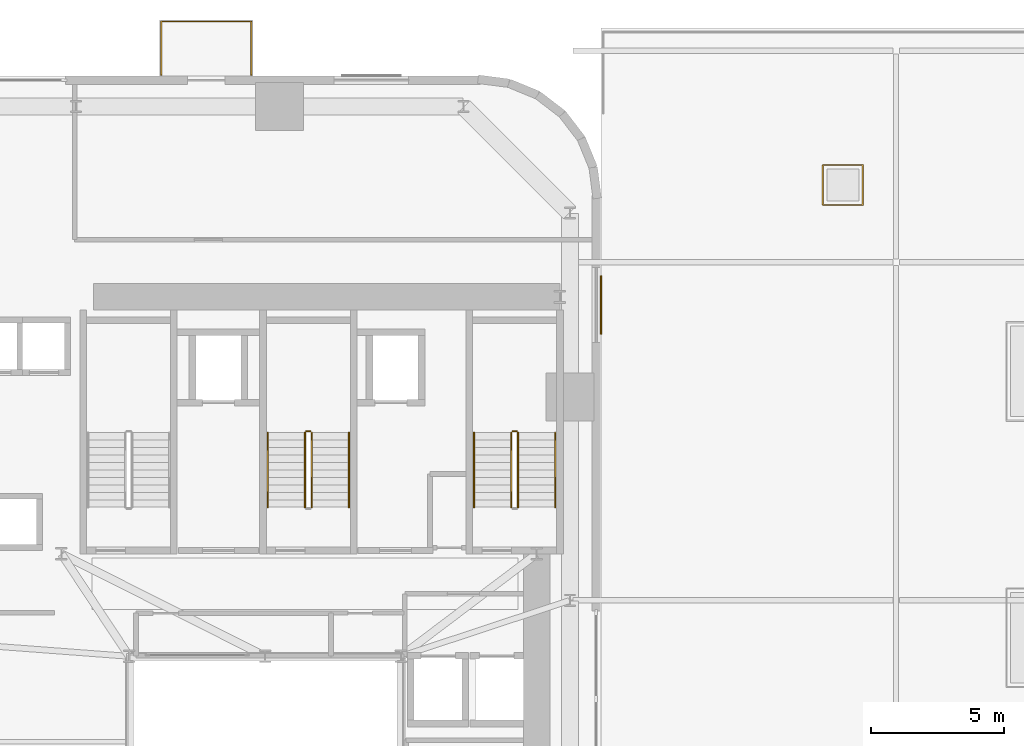
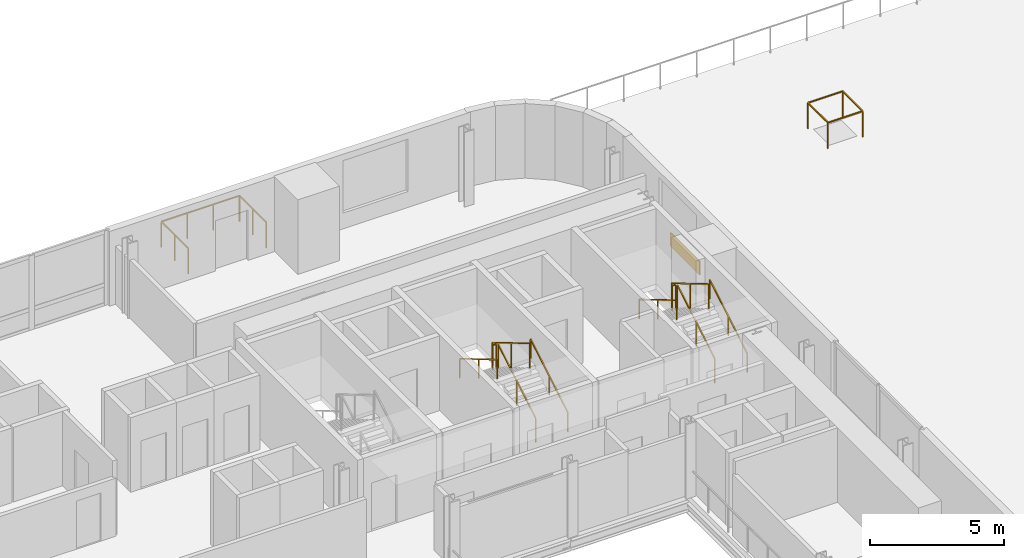
# One storey, part 17 of 18: 12 railings, 1 covering.
"""IFC4 building model written with IfcOpenShell, lengths in metres."""

from ifc_helpers import new_model, si_unit, direction, frame, origin, origin_2d, place, context, subcontext, project, spatial, rectangle, extrude, source, transform, mapped, material, layer, layer_set, type_object, element, save


model = new_model("IFC4")

# Units and contexts
model_context = context("Model", 3, precision=1e-05, world=origin(), true_north=direction((0.0, 1.0)))
body_context = subcontext(model_context, "Body", "Model", "MODEL_VIEW")
ifc_project = project(units=[si_unit("LENGTHUNIT", "METRE"), si_unit("AREAUNIT", "SQUARE_METRE"), si_unit("VOLUMEUNIT", "CUBIC_METRE"), si_unit("PLANEANGLEUNIT", "RADIAN"), si_unit("MASSUNIT", "GRAM", prefix="KILO")], contexts=[model_context])

# Site, building, storey
site_placement = place(None, origin())
site = spatial("IfcSite", under=ifc_project, at=site_placement, CompositionType="ELEMENT")
building_placement = place(site_placement, origin())
building = spatial("IfcBuilding", under=site, at=building_placement, Name="Vardaveli Station Tower", CompositionType="ELEMENT")
storey_placement = place(building_placement, frame((0.0, 0.0, 27.60009765625)))
storey = spatial("IfcBuildingStorey", under=building, at=storey_placement, Name="L06", CompositionType="ELEMENT", Elevation=27.60009765625)

# Railing
ifc_material_1 = material(Name="Laminated glass and stainless steel balustrade", Category="steel")
railing_type_1 = type_object("IfcRailingType", Name="RL-BAL-1200", PredefinedType="BALUSTRADE", material=ifc_material_1)
shared_shape_1 = source(origin(), body_context, "Body", "SweptSolid", [
    extrude(rectangle(XDim=0.048095703125, YDim=0.048095703125, at=origin_2d()), frame((0.0, 0.0, 1.17578125), z_axis=(1.0, 0.0, 0.0), x_axis=(0.0, 1.0, 0.0)), (0.0, 0.0, 1.0), 1.5),
    extrude(rectangle(XDim=0.048095703125, YDim=0.048095703125, at=origin_2d()), frame((1.5, 0.0, 1.17578125), z_axis=(0.0, 1.0, 0.0), x_axis=(-1.0, 0.0, 0.0)), (0.0, 0.0, 1.0), 1.5),
    extrude(rectangle(XDim=0.048095703125, YDim=0.048095703125, at=origin_2d()), frame((1.5, 1.5, 1.17578125), z_axis=(-1.0, 0.0, 0.0), x_axis=(0.0, -1.0, 0.0)), (0.0, 0.0, 1.0), 1.5),
    extrude(rectangle(XDim=0.048095703125, YDim=0.048095703125, at=origin_2d()), frame((0.0, 1.5, 1.17578125), z_axis=(0.0, -1.0, 0.0), x_axis=(1.0, 0.0, 0.0)), (0.0, 0.0, 1.0), 1.5),
    extrude(rectangle(XDim=0.0419921875, YDim=0.0419921875, at=origin_2d()), origin(), (0.0, 0.0, 1.0), 1.15185546875),
    extrude(rectangle(XDim=0.0419921875, YDim=0.0419921875, at=origin_2d()), frame((1.5, 0.0, 0.0)), (0.0, 0.0, 1.0), 1.15185546875),
    extrude(rectangle(XDim=0.0419921875, YDim=0.0419921875, at=origin_2d()), frame((1.5, 1.5, 0.0)), (0.0, 0.0, 1.0), 1.15185546875),
    extrude(rectangle(XDim=0.0419921875, YDim=0.0419921875, at=origin_2d()), frame((0.0, 1.5, 0.0)), (0.0, 0.0, 1.0), 1.15185546875),
])
railing_1_placement = place(storey_placement, frame((57.25, 43.75, 0.0)))
element("IfcRailing", 1, at=railing_1_placement, inside=storey, type_object=railing_type_1, Name="RL-RHTPOD-02", PredefinedType="BALUSTRADE", context=body_context, shape_type="MappedRepresentation", body=[
    mapped(shared_shape_1, transform((0.0, 0.0, 0.0), scale=1.0)),
])

# Covering
ifc_material_2 = material(Name="Ventilated honed travertine stone cladding", Category="masonry")
ifc_layer = layer(ifc_material_2, 0.044921875, Name="Ventilated honed travertine stone cladding")
ifc_layer_set = layer_set([ifc_layer], Name="Ventilated honed travertine stone cladding")
covering_type = type_object("IfcCoveringType", Name="COV-CLAD-TR45", PredefinedType="CLADDING", material=ifc_layer_set)
shared_shape_2 = source(origin(), body_context, "Body", "SweptSolid", [
    extrude(rectangle(XDim=2.199951171875, YDim=0.044921875, at=origin_2d()), origin(), (0.0, 0.0, 1.0), 0.6201171875),
])
covering_placement = place(storey_placement, frame((48.91455078125, 39.9951171875, 0.06982421875), z_axis=(0.0, 0.0, 1.0), x_axis=(0.0, 1.0, 0.0)))
element("IfcCovering", 2, at=covering_placement, inside=storey, type_object=covering_type, Name="CLD-TR-L06-E", PredefinedType="CLADDING", context=body_context, shape_type="MappedRepresentation", body=[
    mapped(shared_shape_2, transform((0.0, 0.0, 0.0), scale=1.0)),
])

# Railings
shared_shape_3 = source(origin(), body_context, "Body", "SweptSolid", [
    extrude(rectangle(XDim=0.048095703125, YDim=0.048095703125, at=origin_2d()), frame((0.0, 0.0, 1.17578125), z_axis=(0.0, 1.0, 0.0), x_axis=(-1.0, 0.0, 0.0)), (0.0, 0.0, 1.0), 2.0),
    extrude(rectangle(XDim=0.048095703125, YDim=0.048095703125, at=origin_2d()), frame((0.0, 2.0, 1.17578125), z_axis=(1.0, 0.0, 0.0), x_axis=(0.0, 1.0, 0.0)), (0.0, 0.0, 1.0), 3.3798828125),
    extrude(rectangle(XDim=0.048095703125, YDim=0.048095703125, at=origin_2d()), frame((3.3798828125, 2.0, 1.17578125), z_axis=(0.0, -1.0, 0.0), x_axis=(1.0, 0.0, 0.0)), (0.0, 0.0, 1.0), 2.0),
    extrude(rectangle(XDim=0.0419921875, YDim=0.0419921875, at=origin_2d()), origin(), (0.0, 0.0, 1.0), 1.15185546875),
    extrude(rectangle(XDim=0.0419921875, YDim=0.0419921875, at=origin_2d()), frame((0.0, 1.0, 0.0)), (0.0, 0.0, 1.0), 1.15185546875),
    extrude(rectangle(XDim=0.0419921875, YDim=0.0419921875, at=origin_2d()), frame((0.0, 2.0, 0.0)), (0.0, 0.0, 1.0), 1.15185546875),
    extrude(rectangle(XDim=0.0419921875, YDim=0.0419921875, at=origin_2d()), frame((1.126708984375, 2.0, 0.0)), (0.0, 0.0, 1.0), 1.15185546875),
    extrude(rectangle(XDim=0.0419921875, YDim=0.0419921875, at=origin_2d()), frame((2.253173828125, 2.0, 0.0)), (0.0, 0.0, 1.0), 1.15185546875),
    extrude(rectangle(XDim=0.0419921875, YDim=0.0419921875, at=origin_2d()), frame((3.3798828125, 2.0, 0.0)), (0.0, 0.0, 1.0), 1.15185546875),
    extrude(rectangle(XDim=0.0419921875, YDim=0.0419921875, at=origin_2d()), frame((3.3798828125, 1.0, 0.0)), (0.0, 0.0, 1.0), 1.15185546875),
    extrude(rectangle(XDim=0.0419921875, YDim=0.0419921875, at=origin_2d()), frame((3.3798828125, 0.0, 0.0)), (0.0, 0.0, 1.0), 1.15185546875),
])
railing_2_placement = place(storey_placement, frame((32.399658203125, 48.639892578125, 0.0)))
element("IfcRailing", 3, at=railing_2_placement, inside=storey, type_object=railing_type_1, Name="RL-LOG-L06-02", PredefinedType="BALUSTRADE", context=body_context, shape_type="MappedRepresentation", body=[
    mapped(shared_shape_3, transform((0.0, 0.0, 0.0), scale=1.0)),
])
ifc_material_3 = material(Name="Brushed AISI 316 stainless steel", Category="steel")
railing_type_2 = type_object("IfcRailingType", Name="RL-GUARD-1150", PredefinedType="GUARDRAIL", material=ifc_material_3)
shared_shape_4 = source(origin(), body_context, "Body", "SweptSolid", [
    extrude(rectangle(XDim=0.048095703125, YDim=0.048095703125, at=origin_2d()), frame((0.0, 0.0, 1.1259765625), z_axis=(-1.0, 0.0, 0.0), x_axis=(0.0, -1.0, 0.0)), (0.0, 0.0, 1.0), 0.14990234375),
    extrude(rectangle(XDim=0.0419921875, YDim=0.0419921875, at=origin_2d()), origin(), (0.0, 0.0, 1.0), 1.101806640625),
    extrude(rectangle(XDim=0.0419921875, YDim=0.0419921875, at=origin_2d()), frame((-0.14990234375, 0.0, 0.0)), (0.0, 0.0, 1.0), 1.101806640625),
])
for number, where, name in (
    (4, (38.0, 35.25, 1.824951171875), "L06 ST-2 stair guard 2"),
    (5, (45.75, 35.25, 1.824951171875), "L06 ST-3 stair guard 2"),
):
    element("IfcRailing", number, at=place(storey_placement, frame(where)), inside=storey, type_object=railing_type_2, Name=name, PredefinedType="GUARDRAIL", context=body_context, shape_type="MappedRepresentation", body=[
        mapped(shared_shape_4, transform((0.0, 0.0, 0.0), scale=1.0)),
    ])
shared_shape_5 = source(origin(), body_context, "Body", "SweptSolid", [
    extrude(rectangle(XDim=0.048095703125, YDim=0.048095703125, at=origin_2d()), frame((0.0, 0.0, 1.1259765625), z_axis=(0.0, 0.860306154799, 0.50977771628), x_axis=(-1.0, 0.0, 0.0)), (0.0, 0.0, 1.0), 3.254638671875),
    extrude(rectangle(XDim=0.0419921875, YDim=0.0419921875, at=origin_2d()), origin(), (0.0, 0.0, 1.0), 1.101806640625),
    extrude(rectangle(XDim=0.0419921875, YDim=0.0419921875, at=origin_2d()), frame((0.0, 1.39990234375, 0.82958984375)), (0.0, 0.0, 1.0), 1.101806640625),
    extrude(rectangle(XDim=0.0419921875, YDim=0.0419921875, at=origin_2d()), frame((0.0, 2.800048828125, 1.6591796875)), (0.0, 0.0, 1.0), 1.101806640625),
])
for number, where, name in (
    (6, (38.050048828125, 32.39990234375, 0.165771484375), "L06 ST-2 stair guard 1"),
    (7, (45.800048828125, 32.39990234375, 0.165771484375), "L06 ST-3 stair guard 1"),
):
    element("IfcRailing", number, at=place(storey_placement, frame(where)), inside=storey, type_object=railing_type_2, Name=name, PredefinedType="GUARDRAIL", context=body_context, shape_type="MappedRepresentation", body=[
        mapped(shared_shape_5, transform((0.0, 0.0, 0.0), scale=1.0)),
    ])
shared_shape_6 = source(origin(), body_context, "Body", "SweptSolid", [
    extrude(rectangle(XDim=0.048095703125, YDim=0.048095703125, at=origin_2d()), frame((0.0, 0.0, 1.1259765625), z_axis=(0.0, -0.860306154799, 0.50977771628), x_axis=(1.0, 0.0, 0.0)), (0.0, 0.0, 1.0), 3.254638671875),
    extrude(rectangle(XDim=0.0419921875, YDim=0.0419921875, at=origin_2d()), origin(), (0.0, 0.0, 1.0), 1.101806640625),
    extrude(rectangle(XDim=0.0419921875, YDim=0.0419921875, at=origin_2d()), frame((0.0, -1.39990234375, 0.82958984375)), (0.0, 0.0, 1.0), 1.101806640625),
    extrude(rectangle(XDim=0.0419921875, YDim=0.0419921875, at=origin_2d()), frame((0.0, -2.800048828125, 1.6591796875)), (0.0, 0.0, 1.0), 1.101806640625),
])
for number, where, name in (
    (8, (37.800048828125, 35.199951171875, 1.99072265625), "L06 ST-2 stair guard 3"),
    (9, (45.550048828125, 35.199951171875, 1.99072265625), "L06 ST-3 stair guard 3"),
):
    element("IfcRailing", number, at=place(storey_placement, frame(where)), inside=storey, type_object=railing_type_2, Name=name, PredefinedType="GUARDRAIL", context=body_context, shape_type="MappedRepresentation", body=[
        mapped(shared_shape_6, transform((0.0, 0.0, 0.0), scale=1.0)),
    ])
railing_type_3 = type_object("IfcRailingType", Name="RL-HAND-900", PredefinedType="HANDRAIL", material=ifc_material_3)
shared_shape_7 = source(origin(), body_context, "Body", "SweptSolid", [
    extrude(rectangle(XDim=0.048095703125, YDim=0.048095703125, at=origin_2d()), frame((0.0, 0.0, 0.8759765625), z_axis=(0.0, 0.860306154799, 0.50977771628), x_axis=(-1.0, 0.0, 0.0)), (0.0, 0.0, 1.0), 3.254638671875),
    extrude(rectangle(XDim=0.0419921875, YDim=0.0419921875, at=origin_2d()), origin(), (0.0, 0.0, 1.0), 0.851806640625),
    extrude(rectangle(XDim=0.0419921875, YDim=0.0419921875, at=origin_2d()), frame((0.0, 1.39990234375, 0.82958984375)), (0.0, 0.0, 1.0), 0.851806640625),
    extrude(rectangle(XDim=0.0419921875, YDim=0.0419921875, at=origin_2d()), frame((0.0, 2.800048828125, 1.6591796875)), (0.0, 0.0, 1.0), 0.851806640625),
])
for number, where, name in (
    (10, (39.449951171875, 32.39990234375, 0.165771484375), "L06 ST-2 stair handrail 1"),
    (11, (47.199951171875, 32.39990234375, 0.165771484375), "L06 ST-3 stair handrail 1"),
):
    element("IfcRailing", number, at=place(storey_placement, frame(where)), inside=storey, type_object=railing_type_3, Name=name, PredefinedType="HANDRAIL", context=body_context, shape_type="MappedRepresentation", body=[
        mapped(shared_shape_7, transform((0.0, 0.0, 0.0), scale=1.0)),
    ])
shared_shape_8 = source(origin(), body_context, "Body", "SweptSolid", [
    extrude(rectangle(XDim=0.048095703125, YDim=0.048095703125, at=origin_2d()), frame((0.0, 0.0, 0.8759765625), z_axis=(0.0, -0.860306154799, 0.50977771628), x_axis=(1.0, 0.0, 0.0)), (0.0, 0.0, 1.0), 3.254638671875),
    extrude(rectangle(XDim=0.0419921875, YDim=0.0419921875, at=origin_2d()), origin(), (0.0, 0.0, 1.0), 0.851806640625),
    extrude(rectangle(XDim=0.0419921875, YDim=0.0419921875, at=origin_2d()), frame((0.0, -1.39990234375, 0.82958984375)), (0.0, 0.0, 1.0), 0.851806640625),
    extrude(rectangle(XDim=0.0419921875, YDim=0.0419921875, at=origin_2d()), frame((0.0, -2.800048828125, 1.6591796875)), (0.0, 0.0, 1.0), 0.851806640625),
])
for number, where, name in (
    (12, (36.39990234375, 35.199951171875, 1.99072265625), "L06 ST-2 stair handrail 2"),
    (13, (44.14990234375, 35.199951171875, 1.99072265625), "L06 ST-3 stair handrail 2"),
):
    element("IfcRailing", number, at=place(storey_placement, frame(where)), inside=storey, type_object=railing_type_3, Name=name, PredefinedType="HANDRAIL", context=body_context, shape_type="MappedRepresentation", body=[
        mapped(shared_shape_8, transform((0.0, 0.0, 0.0), scale=1.0)),
    ])

save(model, "model.ifc")
